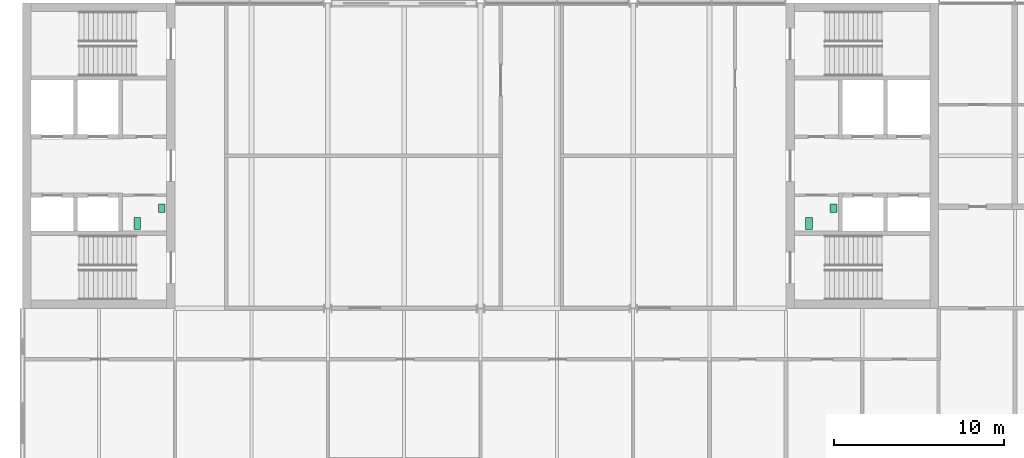
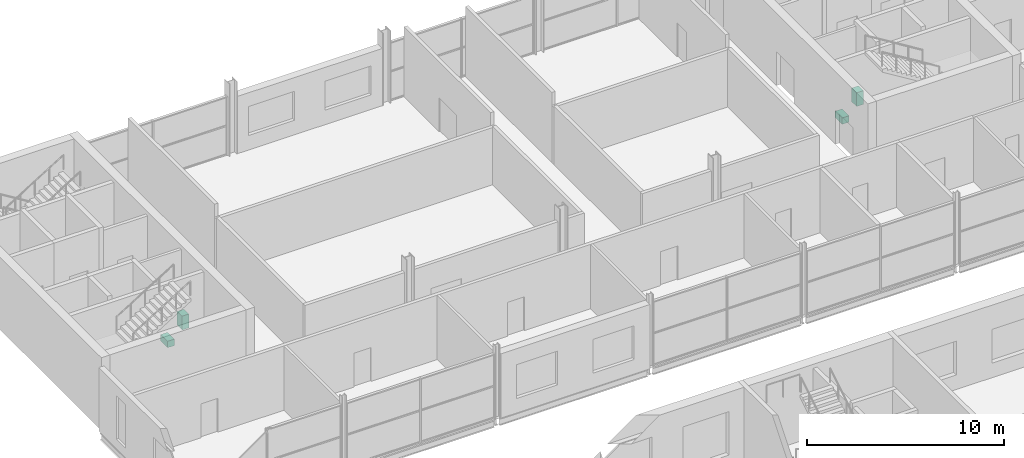
# One storey, part 97 of 97: 4 sanitary terminals.
"""IFC4 building model written with IfcOpenShell, lengths in metres."""

from ifc_helpers import new_model, si_unit, direction, frame, origin, origin_2d, place, context, subcontext, project, spatial, rectangle, extrude, element, save


model = new_model("IFC4")

# Units and contexts
model_context = context("Model", 3, precision=1e-05, world=origin(), true_north=direction((0.0, 1.0)))
body_context = subcontext(model_context, "Body", "Model", "MODEL_VIEW")
ifc_project = project(units=[si_unit("LENGTHUNIT", "METRE"), si_unit("AREAUNIT", "SQUARE_METRE"), si_unit("VOLUMEUNIT", "CUBIC_METRE"), si_unit("PLANEANGLEUNIT", "RADIAN"), si_unit("MASSUNIT", "GRAM", prefix="KILO")], contexts=[model_context])

# Site, building, storey
site_placement = place(None, origin())
site = spatial("IfcSite", under=ifc_project, at=site_placement, CompositionType="ELEMENT")
building_placement = place(site_placement, origin())
building = spatial("IfcBuilding", under=site, at=building_placement, Name="Corbel Yard City Hall", CompositionType="ELEMENT")
storey_placement = place(building_placement, frame((0.0, 0.0, 6.0)))
storey = spatial("IfcBuildingStorey", under=building, at=storey_placement, Name="L01", CompositionType="ELEMENT", Elevation=6.0)

# Sanitary terminals
sanitary_terminal_1_placement = place(storey_placement, frame((46.36669921875, 104.0, 0.0), z_axis=(0.0, 0.0, 1.0), x_axis=(1.0, 0.0, 0.0)))
element("IfcSanitaryTerminal", 1, at=sanitary_terminal_1_placement, inside=storey, Name="Water closet", PredefinedType="TOILETPAN", context=body_context, shape_type="SweptSolid", body=[
    extrude(rectangle(XDim=0.39990234375, YDim=0.699951171875, at=origin_2d()), origin(), (0.0, 0.0, 1.0), 0.39990234375),
])
sanitary_terminal_2_placement = place(storey_placement, frame((47.800048828125, 104.89990234375, 0.0), z_axis=(0.0, 0.0, 1.0), x_axis=(1.0, 0.0, 0.0)))
element("IfcSanitaryTerminal", 2, at=sanitary_terminal_2_placement, inside=storey, Name="Wash basin", PredefinedType="WASHHANDBASIN", context=body_context, shape_type="SweptSolid", body=[
    extrude(rectangle(XDim=0.39990234375, YDim=0.5, at=origin_2d()), origin(), (0.0, 0.0, 1.0), 0.85009765625),
])
sanitary_terminal_3_placement = place(storey_placement, frame((6.7666015625, 104.0, 0.0), z_axis=(0.0, 0.0, 1.0), x_axis=(1.0, 0.0, 0.0)))
element("IfcSanitaryTerminal", 3, at=sanitary_terminal_3_placement, inside=storey, Name="Water closet", PredefinedType="TOILETPAN", context=body_context, shape_type="SweptSolid", body=[
    extrude(rectangle(XDim=0.39990234375, YDim=0.699951171875, at=origin_2d()), origin(), (0.0, 0.0, 1.0), 0.39990234375),
])
sanitary_terminal_4_placement = place(storey_placement, frame((8.199951171875, 104.89990234375, 0.0), z_axis=(0.0, 0.0, 1.0), x_axis=(1.0, 0.0, 0.0)))
element("IfcSanitaryTerminal", 4, at=sanitary_terminal_4_placement, inside=storey, Name="Wash basin", PredefinedType="WASHHANDBASIN", context=body_context, shape_type="SweptSolid", body=[
    extrude(rectangle(XDim=0.39990234375, YDim=0.5, at=origin_2d()), origin(), (0.0, 0.0, 1.0), 0.85009765625),
])

save(model, "model.ifc")
